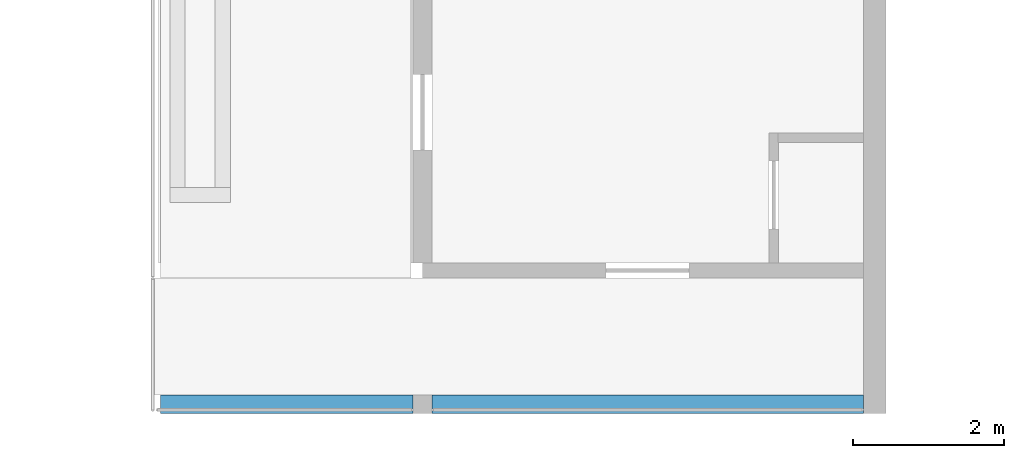
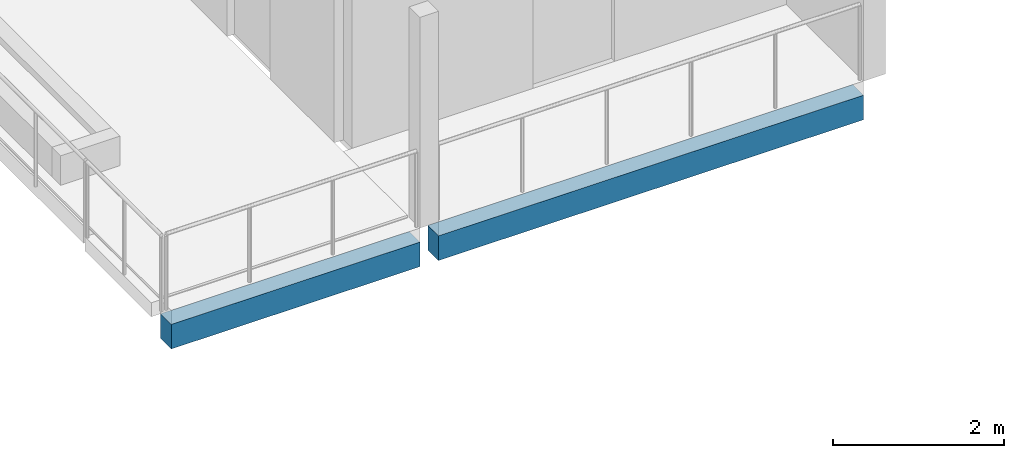
# One storey, part 9 of 33: 2 beams.
"""IFC4 building model written with IfcOpenShell, lengths in metres."""

from ifc_helpers import new_model, si_unit, direction, frame, origin, origin_2d, place, context, subcontext, project, spatial, rectangle, extrude, material, material_profile, profile_set, type_object, element, save


model = new_model("IFC4")

# Units and contexts
model_context = context("Model", 3, precision=1e-05, world=origin(), true_north=direction((0.0, 1.0)))
body_context = subcontext(model_context, "Body", "Model", "MODEL_VIEW")
ifc_project = project(units=[si_unit("LENGTHUNIT", "METRE"), si_unit("AREAUNIT", "SQUARE_METRE"), si_unit("VOLUMEUNIT", "CUBIC_METRE"), si_unit("PLANEANGLEUNIT", "RADIAN"), si_unit("MASSUNIT", "GRAM", prefix="KILO")], contexts=[model_context])

# Site, building, storey
site_placement = place(None, origin())
site = spatial("IfcSite", under=ifc_project, at=site_placement, CompositionType="ELEMENT")
building_placement = place(site_placement, origin())
building = spatial("IfcBuilding", under=site, at=building_placement, Name="Ridgestep Commons", CompositionType="ELEMENT")
storey_placement = place(building_placement, frame((0.0, 0.0, 42.0)))
storey = spatial("IfcBuildingStorey", under=building, at=storey_placement, Name="L14", CompositionType="ELEMENT", Elevation=42.0)

# Beams
ifc_material = material(Name="Precast concrete C40/50", Category="concrete")
ifc_material_profile = material_profile(ifc_material, rectangle(XDim=0.25, YDim=0.35009765625, at=origin_2d()), Name="PC 250x350")
ifc_profile_set = profile_set([ifc_material_profile], Name="Precast concrete C40/50")
beam_type = type_object("IfcBeamType", Name="Loggia edge beam 250 x 350", PredefinedType="SPANDREL", material=ifc_profile_set)
beam_1_placement = place(storey_placement, frame((187.72509765625, 11.875, -0.375), z_axis=(1.0, 0.0, 0.0), x_axis=(0.0, 1.0, 0.0)))
element("IfcBeam", 1, at=beam_1_placement, inside=storey, type_object=beam_type, Name="Loggia edge beam D3T3 L14", PredefinedType="SPANDREL", context=body_context, shape_type="SweptSolid", body=[
    extrude(rectangle(XDim=0.25, YDim=0.35009765625, at=origin_2d()), origin(), (0.0, 0.0, 1.0), 3.349853515625),
])
beam_2_placement = place(storey_placement, frame((191.324951171875, 11.875, -0.375), z_axis=(1.0, 0.0, 0.0), x_axis=(0.0, 1.0, 0.0)))
element("IfcBeam", 2, at=beam_2_placement, inside=storey, type_object=beam_type, Name="Loggia edge beam D3C L14", PredefinedType="SPANDREL", context=body_context, shape_type="SweptSolid", body=[
    extrude(rectangle(XDim=0.25, YDim=0.35009765625, at=origin_2d()), origin(), (0.0, 0.0, 1.0), 5.72509765625),
])

save(model, "model.ifc")
